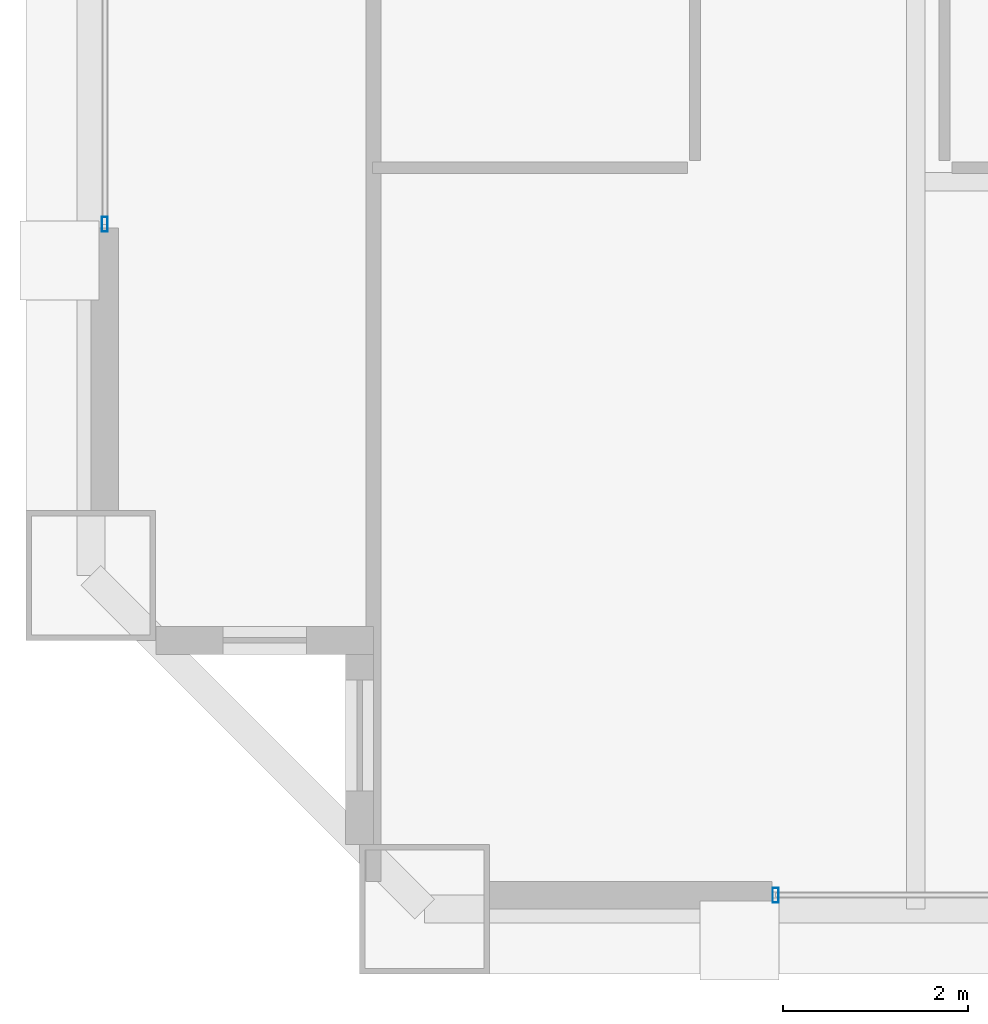
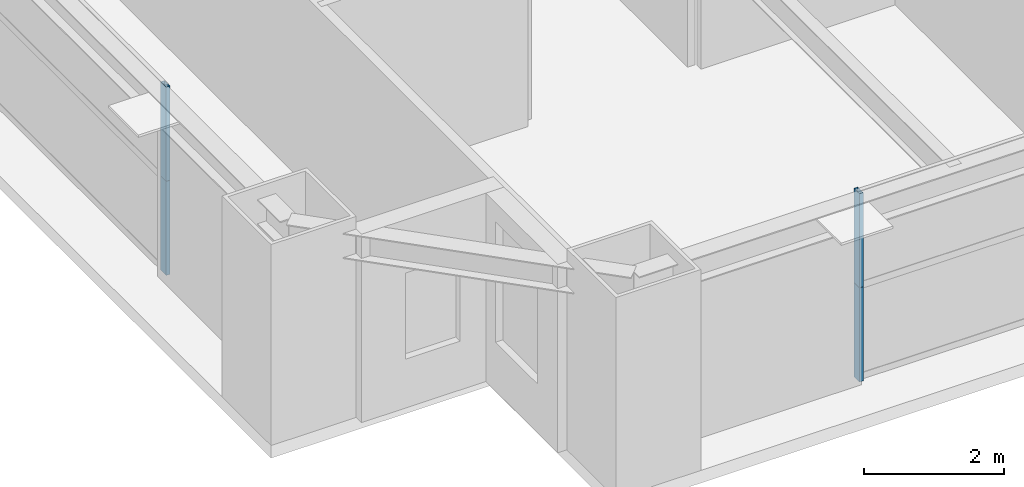
# One storey, part 4 of 38: 4 members, 2 elements without a shape of their own.
"""IFC4 building model written with IfcOpenShell, lengths in metres."""

from ifc_helpers import new_model, si_unit, direction, frame, origin, origin_2d, place, context, subcontext, project, spatial, hollow_rectangle, extrude, source, transform, mapped, material, layer, layer_set, material_profile, profile_set, type_object, element, aggregate, save


model = new_model("IFC4")

# Units and contexts
model_context = context("Model", 3, precision=1e-05, world=origin(), true_north=direction((0.0, 1.0)))
body_context = subcontext(model_context, "Body", "Model", "MODEL_VIEW")
ifc_project = project(units=[si_unit("LENGTHUNIT", "METRE"), si_unit("AREAUNIT", "SQUARE_METRE"), si_unit("VOLUMEUNIT", "CUBIC_METRE"), si_unit("PLANEANGLEUNIT", "RADIAN"), si_unit("MASSUNIT", "GRAM", prefix="KILO"), si_unit("THERMODYNAMICTEMPERATUREUNIT", "KELVIN"), si_unit("POWERUNIT", "WATT")], contexts=[model_context])

# Site, building, storey
site_placement = place(None, origin())
site = spatial("IfcSite", under=ifc_project, at=site_placement, CompositionType="ELEMENT")
building_placement = place(site_placement, origin())
building = spatial("IfcBuilding", under=site, at=building_placement, Name="Yuzanri Waterfront Tower", CompositionType="ELEMENT")
storey_placement = place(building_placement, frame((0.0, 0.0, 188.0)))
storey = spatial("IfcBuildingStorey", under=building, at=storey_placement, Name="L49", CompositionType="ELEMENT", Elevation=188.0)

# Curtain wall, members
ifc_material_1 = material(Name="Anodized Architectural Bronze", Category="metal")
ifc_layer = layer(ifc_material_1, 0.159912109375)
ifc_layer_set = layer_set([ifc_layer], Name="Anodized Architectural Bronze")
curtain_wall_type = type_object("IfcCurtainWallType", Name="Anodized Bronze Mid-Rise Residential Acoustic Unitized Curtain Wall 7200", PredefinedType="NOTDEFINED", material=ifc_layer_set)
curtain_wall_1_placement = place(storey_placement, origin())
curtain_wall_1 = element("IfcCurtainWall", 1, at=curtain_wall_1_placement, inside=storey, type_object=curtain_wall_type, Name="L49 Curtain Wall CW-L49-SL", PredefinedType="NOTDEFINED")
ifc_material_2 = material(Name="Anodized Architectural Bronze", Category="metal")
ifc_material_profile = material_profile(ifc_material_2, hollow_rectangle(XDim=0.06494140625, YDim=0.159912109375, WallThickness=0.00341796875, at=origin_2d()), Name="CWM 65x160")
ifc_profile_set = profile_set([ifc_material_profile], Name="Anodized Architectural Bronze")
member_type = type_object("IfcMemberType", Name="Anodized Bronze Upper-Zone Curtain-Wall Mullion 65x160", PredefinedType="MULLION", material=ifc_profile_set)
shared_shape = source(origin(), body_context, "Body", "SweptSolid", [
    extrude(hollow_rectangle(XDim=0.06494140625, YDim=0.159912109375, WallThickness=0.00341796875, at=origin_2d()), origin(), (0.0, 0.0, 1.0), 1.637939453125),
])
member_1_placement = place(storey_placement, frame((22.2900390625, 3.85009765625, 0.0), z_axis=(0.0, 0.0, 1.0), x_axis=(1.0, 0.0, 0.0)))
member_1 = element("IfcMember", 2, at=member_1_placement, type_object=member_type, Name="CW-L49-SL Lower Mullion 00", PredefinedType="MULLION", context=body_context, shape_type="MappedRepresentation", body=[
    mapped(shared_shape, transform((0.0, 0.0, 0.0), scale=1.0)),
])
member_2_placement = place(storey_placement, frame((22.2900390625, 3.85009765625, 1.64208984375), z_axis=(0.0, 0.0, 1.0), x_axis=(1.0, 0.0, 0.0)))
member_2 = element("IfcMember", 3, at=member_2_placement, type_object=member_type, Name="CW-L49-SL Upper Mullion 00", PredefinedType="MULLION", context=body_context, shape_type="MappedRepresentation", body=[
    mapped(shared_shape, transform((0.0, 0.0, 0.0), scale=1.0)),
])
aggregate(curtain_wall_1, [member_1, member_2])

curtain_wall_2_placement = place(storey_placement, origin())
curtain_wall_2 = element("IfcCurtainWall", 4, at=curtain_wall_2_placement, inside=storey, type_object=curtain_wall_type, Name="L49 Curtain Wall CW-L49-WL", PredefinedType="NOTDEFINED")
member_3_placement = place(storey_placement, frame((15.050048828125, 11.090087890625, 0.0), z_axis=(0.0, 0.0, 1.0), x_axis=(1.0, 0.0, 0.0)))
member_3 = element("IfcMember", 5, at=member_3_placement, type_object=member_type, Name="CW-L49-WL Lower Mullion 00", PredefinedType="MULLION", context=body_context, shape_type="MappedRepresentation", body=[
    mapped(shared_shape, transform((0.0, 0.0, 0.0), scale=1.0)),
])
member_4_placement = place(storey_placement, frame((15.050048828125, 11.090087890625, 1.64208984375), z_axis=(0.0, 0.0, 1.0), x_axis=(1.0, 0.0, 0.0)))
member_4 = element("IfcMember", 6, at=member_4_placement, type_object=member_type, Name="CW-L49-WL Upper Mullion 00", PredefinedType="MULLION", context=body_context, shape_type="MappedRepresentation", body=[
    mapped(shared_shape, transform((0.0, 0.0, 0.0), scale=1.0)),
])
aggregate(curtain_wall_2, [member_3, member_4])

save(model, "model.ifc")
